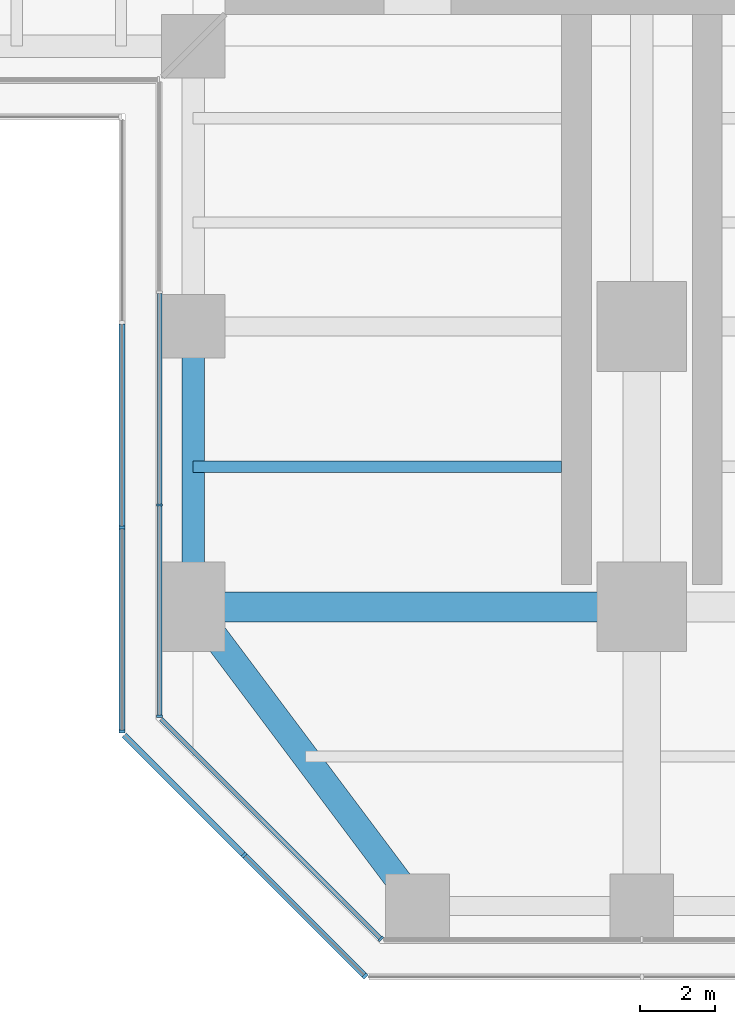
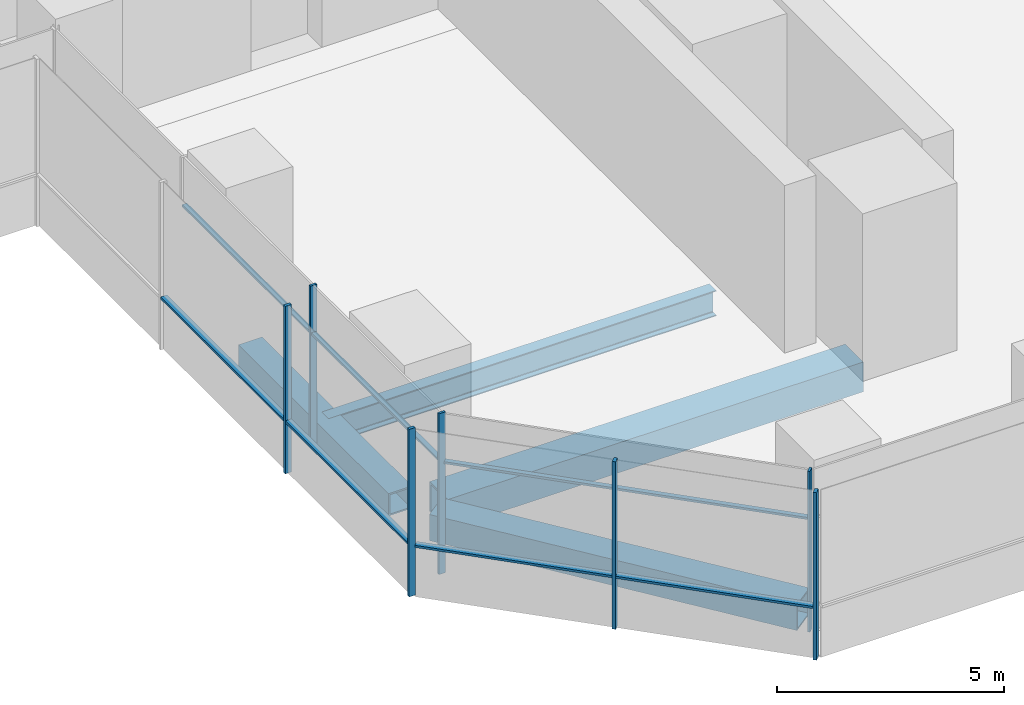
# One storey, part 2 of 27: 14 members, 4 beams, 4 elements without a shape of their own.
"""IFC4 building model written with IfcOpenShell, lengths in metres."""

from ifc_helpers import new_model, si_unit, direction, frame, origin, origin_2d, place, context, subcontext, project, spatial, rectangle, hollow_rectangle, i_section, extrude, material, material_profile, profile_set, type_object, element, aggregate, save


model = new_model("IFC4")

# Units and contexts
model_context = context("Model", 3, precision=1e-05, world=origin(), true_north=direction((0.0, 1.0)))
body_context = subcontext(model_context, "Body", "Model", "MODEL_VIEW")
ifc_project = project(units=[si_unit("LENGTHUNIT", "METRE"), si_unit("AREAUNIT", "SQUARE_METRE"), si_unit("VOLUMEUNIT", "CUBIC_METRE"), si_unit("PLANEANGLEUNIT", "RADIAN"), si_unit("MASSUNIT", "GRAM", prefix="KILO")], contexts=[model_context])

# Site, building, storey
site_placement = place(None, origin())
site = spatial("IfcSite", under=ifc_project, at=site_placement, CompositionType="ELEMENT")
building_placement = place(site_placement, origin())
building = spatial("IfcBuilding", under=site, at=building_placement, Name="Mizan Broadcast Tower", CompositionType="ELEMENT")
storey_placement = place(building_placement, frame((0.0, 0.0, 113.699951171875)))
storey = spatial("IfcBuildingStorey", under=building, at=storey_placement, Name="L25", CompositionType="ELEMENT", Elevation=113.699951171875)

# Beams
ifc_material_1 = material(Name="Steel S355", Category="steel")
ifc_material_profile_1 = material_profile(ifc_material_1, hollow_rectangle(XDim=0.60009765625, YDim=0.60009765625, WallThickness=0.0400390625, at=origin_2d()), Name="BOX 600x600x40")
ifc_profile_set_1 = profile_set([ifc_material_profile_1], Name="Steel S355")
beam_type_1 = type_object("IfcBeamType", Name="EDGE BEAM BOX 600x600x40", PredefinedType="SPANDREL", material=ifc_profile_set_1)
beam_1_placement = place(storey_placement, frame((-12.0, -19.949951171875, -0.429931640625), z_axis=(0.0, -1.0, 0.0), x_axis=(1.0, 0.0, 0.0)))
element("IfcBeam", 1, at=beam_1_placement, inside=storey, type_object=beam_type_1, Name="Edge beam BOX 600x600x40 L25 south arm", PredefinedType="SPANDREL", context=body_context, shape_type="SweptSolid", body=[
    extrude(hollow_rectangle(XDim=0.60009765625, YDim=0.60009765625, WallThickness=0.0400390625, at=origin_2d()), origin(), (0.0, 0.0, 1.0), 6.60009765625),
])
ifc_material_2 = material(Name="Steel S355", Category="steel")
ifc_material_profile_2 = material_profile(ifc_material_2, hollow_rectangle(XDim=0.699951171875, YDim=0.699951171875, WallThickness=0.0400390625, at=origin_2d()), Name="BOX 700x700x40")
ifc_profile_set_2 = profile_set([ifc_material_profile_2], Name="Steel S355")
beam_type_2 = type_object("IfcBeamType", Name="EDGE BEAM BOX 700x700x40", PredefinedType="SPANDREL", material=ifc_profile_set_2)
beam_2_placement = place(storey_placement, frame((-11.639892578125, -27.47998046875, -0.47998046875), z_axis=(0.599982243973, -0.800013316712, 0.0), x_axis=(0.800013316712, 0.599982243973, 0.0)))
element("IfcBeam", 2, at=beam_2_placement, inside=storey, type_object=beam_type_2, Name="Edge beam BOX 700x700x40 L25 south arm", PredefinedType="SPANDREL", context=body_context, shape_type="SweptSolid", body=[
    extrude(hollow_rectangle(XDim=0.699951171875, YDim=0.699951171875, WallThickness=0.0400390625, at=origin_2d()), origin(), (0.0, 0.0, 1.0), 8.7998046875),
])
ifc_material_3 = material(Name="Steel S460", Category="steel")
ifc_material_profile_3 = material_profile(ifc_material_3, hollow_rectangle(XDim=0.800048828125, YDim=0.800048828125, WallThickness=0.050048828125, at=origin_2d()), Name="BOX 800x800x50")
ifc_profile_set_3 = profile_set([ifc_material_profile_3], Name="Steel S460")
beam_type_3 = type_object("IfcBeamType", Name="GIRDER BOX 800x800x50", PredefinedType="BEAM", material=ifc_profile_set_3)
beam_3_placement = place(storey_placement, frame((-11.280029296875, -27.0, -0.530029296875), z_axis=(1.0, 0.0, 0.0), x_axis=(0.0, 1.0, 0.0)))
element("IfcBeam", 3, at=beam_3_placement, inside=storey, type_object=beam_type_3, Name="Girder BOX 800x800x50 L25 south arm", PredefinedType="BEAM", context=body_context, shape_type="SweptSolid", body=[
    extrude(hollow_rectangle(XDim=0.800048828125, YDim=0.800048828125, WallThickness=0.050048828125, at=origin_2d()), origin(), (0.0, 0.0, 1.0), 10.56005859375),
])

# Curtain wall, members
ifc_material_4 = material(Name="Aluminium framed glazing", Category="aluminium")
curtain_wall_type_1 = type_object("IfcCurtainWallType", Name="INNER SKIN MID ZONE", PredefinedType="USERDEFINED", material=ifc_material_4)
curtain_wall_1_placement = place(storey_placement, origin())
curtain_wall_1 = element("IfcCurtainWall", 4, at=curtain_wall_1_placement, inside=storey, type_object=curtain_wall_type_1, Name="Inner skin mid zone L25 S side", ObjectType="INNER SKIN MID ZONE", PredefinedType="USERDEFINED")
ifc_material_5 = material(Name="Aluminium, pale anodised", Category="aluminium")
ifc_material_profile_4 = material_profile(ifc_material_5, rectangle(XDim=0.159912109375, YDim=0.06005859375, at=origin_2d()), Name="MULLION 160x60")
ifc_profile_set_4 = profile_set([ifc_material_profile_4], Name="Aluminium, pale anodised")
member_type_1 = type_object("IfcMemberType", Name="INNER SKIN MULLION 60x160", PredefinedType="MULLION", material=ifc_profile_set_4)
member_1_placement = place(storey_placement, frame((-12.89990234375, -24.2724609375, 0.0), z_axis=(0.0, 0.0, 1.0), x_axis=(1.0, 0.0, 0.0)))
member_1 = element("IfcMember", 5, at=member_1_placement, type_object=member_type_1, Name="Inner skin mid zone L25 S side mullion 3", PredefinedType="MULLION", context=body_context, shape_type="SweptSolid", body=[
    extrude(rectangle(XDim=0.159912109375, YDim=0.06005859375, at=origin_2d()), origin(), (0.0, 0.0, 1.0), 4.320068359375),
])
member_2_placement = place(storey_placement, frame((-12.89990234375, -29.928466796875, 0.0), z_axis=(0.0, 0.0, 1.0), x_axis=(1.0, 0.0, 0.0)))
member_2 = element("IfcMember", 6, at=member_2_placement, type_object=member_type_1, Name="Inner skin mid zone L25 S side mullion 4", PredefinedType="MULLION", context=body_context, shape_type="SweptSolid", body=[
    extrude(rectangle(XDim=0.159912109375, YDim=0.06005859375, at=origin_2d()), origin(), (0.0, 0.0, 1.0), 4.320068359375),
])

# Curtain wall, member
curtain_wall_2_placement = place(storey_placement, origin())
curtain_wall_2 = element("IfcCurtainWall", 7, at=curtain_wall_2_placement, inside=storey, type_object=curtain_wall_type_1, Name="Inner skin mid zone L25 S chamfer", ObjectType="INNER SKIN MID ZONE", PredefinedType="USERDEFINED")
member_3_placement = place(storey_placement, frame((-6.979736328125, -35.87890625, 0.0), z_axis=(0.0, 0.0, 1.0), x_axis=(0.707106781187, 0.707106781187, 0.0)))
member_3 = element("IfcMember", 8, at=member_3_placement, type_object=member_type_1, Name="Inner skin mid zone L25 S chamfer mullion 2", PredefinedType="MULLION", context=body_context, shape_type="SweptSolid", body=[
    extrude(rectangle(XDim=0.159912109375, YDim=0.06005859375, at=origin_2d()), origin(), (0.0, 0.0, 1.0), 4.320068359375),
])

# Member
ifc_material_6 = material(Name="Aluminium, pale anodised", Category="aluminium")
ifc_material_profile_5 = material_profile(ifc_material_6, rectangle(XDim=0.1201171875, YDim=0.06005859375, at=origin_2d()), Name="TRANSOM 120x60")
ifc_profile_set_5 = profile_set([ifc_material_profile_5], Name="Aluminium, pale anodised")
member_type_2 = type_object("IfcMemberType", Name="INNER SKIN TRANSOM 60x120", PredefinedType="USERDEFINED", material=ifc_profile_set_5)
member_4_placement = place(storey_placement, frame((-12.89990234375, -18.6162109375, 3.030029296875), z_axis=(0.0, -1.0, 0.0), x_axis=(1.0, 0.0, 0.0)))
member_4 = element("IfcMember", 9, at=member_4_placement, type_object=member_type_2, Name="Inner skin mid zone L25 S side transom 2.1", ObjectType="TRANSOM", PredefinedType="USERDEFINED", context=body_context, shape_type="SweptSolid", body=[
    extrude(rectangle(XDim=0.1201171875, YDim=0.06005859375, at=origin_2d()), origin(), (0.0, 0.0, 1.0), 5.626220703125),
])

member_5_placement = place(storey_placement, frame((-12.89990234375, -24.302490234375, 3.030029296875), z_axis=(0.0, -1.0, 0.0), x_axis=(1.0, 0.0, 0.0)))
member_5 = element("IfcMember", 10, at=member_5_placement, type_object=member_type_2, Name="Inner skin mid zone L25 S side transom 3.1", ObjectType="TRANSOM", PredefinedType="USERDEFINED", context=body_context, shape_type="SweptSolid", body=[
    extrude(rectangle(XDim=0.1201171875, YDim=0.06005859375, at=origin_2d()), origin(), (0.0, 0.0, 1.0), 5.59619140625),
])

aggregate(curtain_wall_1, [member_1, member_2, member_4, member_5])

member_6_placement = place(storey_placement, frame((-12.857666015625, -30.0009765625, 3.030029296875), z_axis=(0.707106781187, -0.707106781187, 0.0), x_axis=(0.707106781187, 0.707106781187, 0.0)))
member_6 = element("IfcMember", 11, at=member_6_placement, type_object=member_type_2, Name="Inner skin mid zone L25 S chamfer transom 1.1", ObjectType="TRANSOM", PredefinedType="USERDEFINED", context=body_context, shape_type="SweptSolid", body=[
    extrude(rectangle(XDim=0.1201171875, YDim=0.06005859375, at=origin_2d()), origin(), (0.0, 0.0, 1.0), 8.28271484375),
])

aggregate(curtain_wall_2, [member_3, member_6])

# Curtain wall, members
ifc_material_7 = material(Name="Aluminium framed glazing", Category="aluminium")
curtain_wall_type_2 = type_object("IfcCurtainWallType", Name="OUTER SKIN", PredefinedType="USERDEFINED", material=ifc_material_7)
curtain_wall_3_placement = place(storey_placement, origin())
curtain_wall_3 = element("IfcCurtainWall", 12, at=curtain_wall_3_placement, inside=storey, type_object=curtain_wall_type_2, Name="Outer skin L25 S side", ObjectType="OUTER SKIN", PredefinedType="USERDEFINED")
ifc_material_8 = material(Name="Aluminium, pale anodised", Category="aluminium")
ifc_material_profile_6 = material_profile(ifc_material_8, rectangle(XDim=0.159912109375, YDim=0.080078125, at=origin_2d()), Name="MULLION 160x80")
ifc_profile_set_6 = profile_set([ifc_material_profile_6], Name="Aluminium, pale anodised")
member_type_3 = type_object("IfcMemberType", Name="OUTER SKIN MULLION 80x160", PredefinedType="MULLION", material=ifc_profile_set_6)
member_7_placement = place(storey_placement, frame((-13.89990234375, -24.8818359375, 0.0), z_axis=(0.0, 0.0, 1.0), x_axis=(1.0, 0.0, 0.0)))
member_7 = element("IfcMember", 13, at=member_7_placement, type_object=member_type_3, Name="Outer skin L25 S side mullion 3", PredefinedType="MULLION", context=body_context, shape_type="SweptSolid", body=[
    extrude(rectangle(XDim=0.159912109375, YDim=0.080078125, at=origin_2d()), origin(), (0.0, 0.0, 1.0), 4.5),
])
member_8_placement = place(storey_placement, frame((-13.89990234375, -30.332763671875, 0.0), z_axis=(0.0, 0.0, 1.0), x_axis=(1.0, 0.0, 0.0)))
member_8 = element("IfcMember", 14, at=member_8_placement, type_object=member_type_3, Name="Outer skin L25 S side mullion 4", PredefinedType="MULLION", context=body_context, shape_type="SweptSolid", body=[
    extrude(rectangle(XDim=0.159912109375, YDim=0.080078125, at=origin_2d()), origin(), (0.0, 0.0, 1.0), 4.5),
])

curtain_wall_4_placement = place(storey_placement, origin())
curtain_wall_4 = element("IfcCurtainWall", 15, at=curtain_wall_4_placement, inside=storey, type_object=curtain_wall_type_2, Name="Outer skin L25 S chamfer", ObjectType="OUTER SKIN", PredefinedType="USERDEFINED")
member_9_placement = place(storey_placement, frame((-10.636474609375, -33.636474609375, 0.0), z_axis=(0.0, 0.0, 1.0), x_axis=(0.707106781187, 0.707106781187, 0.0)))
member_9 = element("IfcMember", 16, at=member_9_placement, type_object=member_type_3, Name="Outer skin L25 S chamfer mullion 2", PredefinedType="MULLION", context=body_context, shape_type="SweptSolid", body=[
    extrude(rectangle(XDim=0.159912109375, YDim=0.080078125, at=origin_2d()), origin(), (0.0, 0.0, 1.0), 4.5),
])
member_10_placement = place(storey_placement, frame((-7.401123046875, -36.871826171875, 0.0), z_axis=(0.0, 0.0, 1.0), x_axis=(0.707106781187, 0.707106781187, 0.0)))
member_10 = element("IfcMember", 17, at=member_10_placement, type_object=member_type_3, Name="Outer skin L25 S chamfer mullion 3", PredefinedType="MULLION", context=body_context, shape_type="SweptSolid", body=[
    extrude(rectangle(XDim=0.159912109375, YDim=0.080078125, at=origin_2d()), origin(), (0.0, 0.0, 1.0), 4.5),
])

# Member
ifc_material_9 = material(Name="Aluminium, pale anodised", Category="aluminium")
ifc_material_profile_7 = material_profile(ifc_material_9, rectangle(XDim=0.159912109375, YDim=0.06005859375, at=origin_2d()), Name="TRANSOM 160x60")
ifc_profile_set_7 = profile_set([ifc_material_profile_7], Name="Aluminium, pale anodised")
member_type_4 = type_object("IfcMemberType", Name="OUTER SKIN TRANSOM 60x160", PredefinedType="USERDEFINED", material=ifc_profile_set_7)
member_11_placement = place(storey_placement, frame((-13.89990234375, -19.430908203125, 1.400146484375), z_axis=(0.0, -1.0, 0.0), x_axis=(1.0, 0.0, 0.0)))
member_11 = element("IfcMember", 18, at=member_11_placement, type_object=member_type_4, Name="Outer skin L25 S side transom 2.1", ObjectType="TRANSOM", PredefinedType="USERDEFINED", context=body_context, shape_type="SweptSolid", body=[
    extrude(rectangle(XDim=0.159912109375, YDim=0.06005859375, at=origin_2d()), origin(), (0.0, 0.0, 1.0), 5.410888671875),
])

member_12_placement = place(storey_placement, frame((-13.89990234375, -24.921875, 1.400146484375), z_axis=(0.0, -1.0, 0.0), x_axis=(1.0, 0.0, 0.0)))
member_12 = element("IfcMember", 19, at=member_12_placement, type_object=member_type_4, Name="Outer skin L25 S side transom 3.1", ObjectType="TRANSOM", PredefinedType="USERDEFINED", context=body_context, shape_type="SweptSolid", body=[
    extrude(rectangle(XDim=0.159912109375, YDim=0.06005859375, at=origin_2d()), origin(), (0.0, 0.0, 1.0), 5.370849609375),
])

aggregate(curtain_wall_3, [member_7, member_8, member_11, member_12])

member_13_placement = place(storey_placement, frame((-13.843505859375, -30.429443359375, 1.400146484375), z_axis=(0.707106781187, -0.707106781187, 0.0), x_axis=(0.707106781187, 0.707106781187, 0.0)))
member_13 = element("IfcMember", 20, at=member_13_placement, type_object=member_type_4, Name="Outer skin L25 S chamfer transom 1.1", ObjectType="TRANSOM", PredefinedType="USERDEFINED", context=body_context, shape_type="SweptSolid", body=[
    extrude(rectangle(XDim=0.159912109375, YDim=0.06005859375, at=origin_2d()), origin(), (0.0, 0.0, 1.0), 4.495361328125),
])

member_14_placement = place(storey_placement, frame((-10.608154296875, -33.664794921875, 1.400146484375), z_axis=(0.707106781187, -0.707106781187, 0.0), x_axis=(0.707106781187, 0.707106781187, 0.0)))
member_14 = element("IfcMember", 21, at=member_14_placement, type_object=member_type_4, Name="Outer skin L25 S chamfer transom 2.1", ObjectType="TRANSOM", PredefinedType="USERDEFINED", context=body_context, shape_type="SweptSolid", body=[
    extrude(rectangle(XDim=0.159912109375, YDim=0.06005859375, at=origin_2d()), origin(), (0.0, 0.0, 1.0), 4.495361328125),
])

aggregate(curtain_wall_4, [member_9, member_10, member_13, member_14])

# Beam
ifc_material_10 = material(Name="Steel S355", Category="steel")
ifc_material_profile_8 = material_profile(ifc_material_10, i_section(OverallWidth=0.300048828125, OverallDepth=0.68994140625, WebThickness=0.014404296875, FlangeThickness=0.027099609375, FilletRadius=0.027099609375, at=origin_2d()), Name="HEA 700")
ifc_profile_set_8 = profile_set([ifc_material_profile_8], Name="Steel S355")
beam_type_4 = type_object("IfcBeamType", Name="SECONDARY BEAM HEA 700", PredefinedType="JOIST", material=ifc_profile_set_8)
beam_4_placement = place(storey_placement, frame((-12.0, -23.25, -0.474853515625), z_axis=(1.0, 0.0, 0.0), x_axis=(0.0, 1.0, 0.0)))
element("IfcBeam", 22, at=beam_4_placement, inside=storey, type_object=beam_type_4, Name="Secondary beam HEA 700 L25 south arm", PredefinedType="JOIST", context=body_context, shape_type="SweptSolid", body=[
    extrude(i_section(OverallWidth=0.300048828125, OverallDepth=0.68994140625, WebThickness=0.014404296875, FlangeThickness=0.027099609375, FilletRadius=0.027099609375, at=origin_2d()), origin(), (0.0, 0.0, 1.0), 9.85009765625),
])

save(model, "model.ifc")
